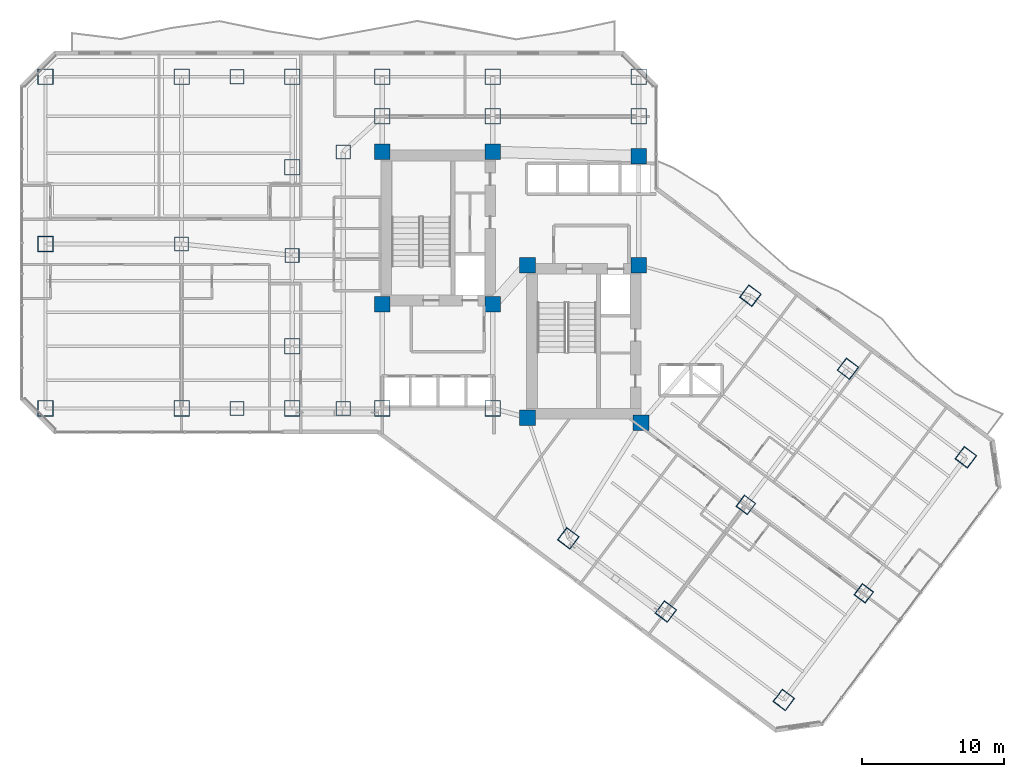
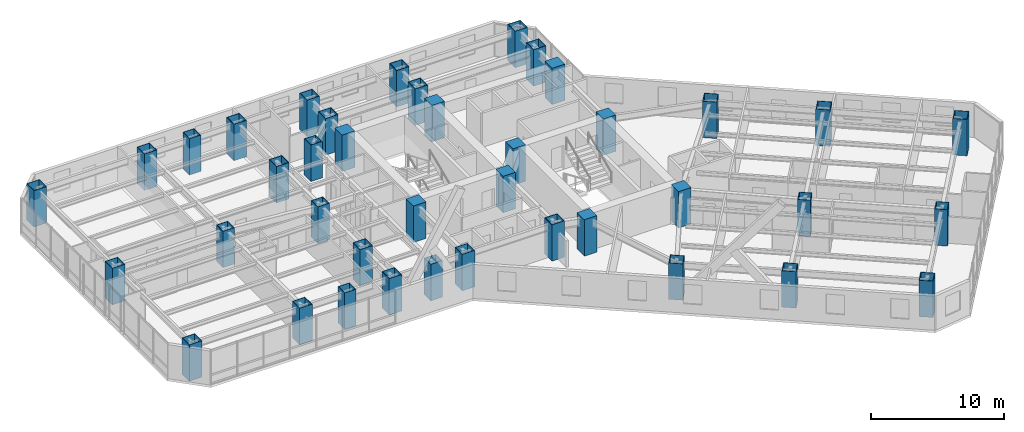
# One storey, part 1 of 33: 40 columns.
"""IFC4 building model written with IfcOpenShell, lengths in metres."""

from ifc_helpers import new_model, si_unit, direction, frame, origin, origin_2d, place, context, subcontext, project, spatial, rectangle, hollow_rectangle, extrude, material, material_profile, profile_set, type_object, element, save


model = new_model("IFC4")

# Units and contexts
model_context = context("Model", 3, precision=1e-05, world=origin(), true_north=direction((0.0, 1.0)))
body_context = subcontext(model_context, "Body", "Model", "MODEL_VIEW")
ifc_project = project(units=[si_unit("LENGTHUNIT", "METRE"), si_unit("AREAUNIT", "SQUARE_METRE"), si_unit("VOLUMEUNIT", "CUBIC_METRE"), si_unit("PLANEANGLEUNIT", "RADIAN"), si_unit("MASSUNIT", "GRAM", prefix="KILO")], contexts=[model_context])

# Site, building, storey
site_placement = place(None, origin())
site = spatial("IfcSite", under=ifc_project, at=site_placement, CompositionType="ELEMENT")
building_placement = place(site_placement, origin())
building = spatial("IfcBuilding", under=site, at=building_placement, Name="Hatsunagi Terrace Concourse", CompositionType="ELEMENT")
storey_placement = place(building_placement, frame((0.0, 0.0, 53.35009765625)))
storey = spatial("IfcBuildingStorey", under=building, at=storey_placement, Name="L13", CompositionType="ELEMENT", Elevation=53.35009765625)

# Columns
ifc_material_1 = material(Name="Concrete Fc60", Category="concrete")
ifc_material_profile_1 = material_profile(ifc_material_1, rectangle(XDim=1.10009765625, YDim=1.10009765625, at=origin_2d()), Name="RC-1100x1100")
ifc_profile_set_1 = profile_set([ifc_material_profile_1], Name="Concrete Fc60")
column_type_1 = type_object("IfcColumnType", Name="CoreColumn_RC_1100x1100", PredefinedType="COLUMN", material=ifc_profile_set_1)
for number, where, z_axis, x_axis, name in (
    (1, (25.550048828125, 32.550048828125, 0.0), (0.0, 0.0, 1.0), (1.0, 0.0, 0.0), "Column C-01 L13-CASW"),
    (2, (33.35009765625, 32.550048828125, 0.0), (0.0, 0.0, 1.0), (1.0, 0.0, 0.0), "Column C-01 L13-CASE"),
    (3, (25.550048828125, 43.300048828125, 0.0), (0.0, 0.0, 1.0), (1.0, 0.0, 0.0), "Column C-01 L13-CANW"),
    (4, (33.35009765625, 43.300048828125, 0.0), (0.0, 0.0, 1.0), (1.0, 0.0, 0.0), "Column C-01 L13-CANE"),
    (5, (35.800048828125, 24.550048828125, 0.0), (0.0, 0.0, 1.0), (1.0, 0.0, 0.0), "Column C-01 L13-CBSW"),
    (6, (43.800048828125, 24.199951171875, 0.0), (0.0, 0.0, 1.0), (1.0, 0.0, 0.0), "Column C-01 L13-CBSE"),
    (7, (35.800048828125, 35.300048828125, 0.0), (0.0, 0.0, 1.0), (1.0, 0.0, 0.0), "Column C-01 L13-CBNW"),
    (8, (43.64990234375, 35.300048828125, 0.0), (0.0, 0.0, 1.0), (1.0, 0.0, 0.0), "Column C-01 L13-CBNE"),
    (9, (43.64990234375, 43.0, 0.0), (0.0, 0.0, 1.0), (1.0, 0.0, 0.0), "Column C-01 L13-K3"),
):
    element("IfcColumn", number, at=place(storey_placement, frame(where, z_axis=z_axis, x_axis=x_axis)), inside=storey, type_object=column_type_1, Name=name, PredefinedType="COLUMN", context=body_context, shape_type="SweptSolid", body=[
        extrude(rectangle(XDim=1.10009765625, YDim=1.10009765625, at=origin_2d()), origin(), (0.0, 0.0, 1.0), 3.349853515625),
    ])
ifc_material_2 = material(Name="Steel BCP325T", Category="steel")
ifc_material_profile_2 = material_profile(ifc_material_2, hollow_rectangle(XDim=1.10009765625, YDim=1.10009765625, WallThickness=0.0400390625, at=origin_2d()), Name="BCP-1100x1100x40")
ifc_profile_set_2 = profile_set([ifc_material_profile_2], Name="Steel BCP325T")
column_type_2 = type_object("IfcColumnType", Name="MegaColumn_BCP_1100x1100x40", PredefinedType="COLUMN", material=ifc_profile_set_2)
for number, where, z_axis, x_axis, name in (
    (10, (25.550048828125, 25.199951171875, 0.0), (0.0, 0.0, 1.0), (1.0, 0.0, 0.0), "Mega column MC-02 L13-K1"),
    (11, (33.35009765625, 25.199951171875, 0.0), (0.0, 0.0, 1.0), (1.0, 0.0, 0.0), "Mega column MC-02 L13-K2"),
    (12, (25.550048828125, 45.800048828125, 0.0), (0.0, 0.0, 1.0), (1.0, 0.0, 0.0), "Mega column MC-02 L13-CN1"),
    (13, (33.35009765625, 45.800048828125, 0.0), (0.0, 0.0, 1.0), (1.0, 0.0, 0.0), "Mega column MC-02 L13-CN2"),
    (14, (43.64990234375, 45.800048828125, 0.0), (0.0, 0.0, 1.0), (1.0, 0.0, 0.0), "Mega column MC-02 L13-CN3"),
    (15, (1.800048828125, 25.199951171875, 0.0), (0.0, 0.0, 1.0), (1.0, 0.0, 0.0), "Mega column MC-02 L13-WS1"),
    (16, (1.800048828125, 48.60009765625, 0.0), (0.0, 0.0, 1.0), (1.0, 0.0, 0.0), "Mega column MC-02 L13-WN1"),
    (17, (1.800048828125, 36.800048828125, 0.0), (0.0, 0.0, 1.0), (1.0, 0.0, 0.0), "Mega column MC-02 L13-WM0"),
    (18, (11.39990234375, 25.199951171875, 0.0), (0.0, 0.0, 1.0), (1.0, 0.0, 0.0), "Mega column MC-02 L13-WS2"),
    (19, (11.39990234375, 48.60009765625, 0.0), (0.0, 0.0, 1.0), (1.0, 0.0, 0.0), "Mega column MC-02 L13-WN2"),
    (20, (19.199951171875, 48.60009765625, 0.0), (0.0, 0.0, 1.0), (1.0, 0.0, 0.0), "Mega column MC-02 L13-WN3"),
    (21, (25.550048828125, 48.60009765625, 0.0), (0.0, 0.0, 1.0), (1.0, 0.0, 0.0), "Mega column MC-02 L13-WN4"),
    (22, (33.35009765625, 48.60009765625, 0.0), (0.0, 0.0, 1.0), (1.0, 0.0, 0.0), "Mega column MC-02 L13-WN5"),
    (23, (43.64990234375, 48.60009765625, 0.0), (0.0, 0.0, 1.0), (1.0, 0.0, 0.0), "Mega column MC-02 L13-WN6"),
    (24, (19.199951171875, 25.199951171875, 0.0), (0.0, 0.0, 1.0), (1.0, 0.0, 0.0), "Mega column MC-02 L13-WS3"),
    (25, (19.199951171875, 29.60009765625, 0.0), (0.0, 0.0, 1.0), (1.0, 0.0, 0.0), "Mega column MC-02 L13-WR1"),
    (26, (19.199951171875, 42.199951171875, 0.0), (0.0, 0.0, 1.0), (1.0, 0.0, 0.0), "Mega column MC-02 L13-WR2"),
    (27, (38.679931640625, 16.0400390625, 0.0), (0.0, 0.0, 1.0), (0.799999996291, -0.600000004945, 0.0), "Mega column MC-02 L13-SES1"),
    (28, (51.52001953125, 33.159912109375, 0.0), (0.0, 0.0, 1.0), (0.799999996291, -0.600000004945, 0.0), "Mega column MC-02 L13-SEN1"),
    (29, (45.56005859375, 10.8798828125, 0.0), (0.0, 0.0, 1.0), (0.799999996291, -0.600000004945, 0.0), "Mega column MC-02 L13-SES2"),
    (30, (58.39990234375, 28.0, 0.0), (0.0, 0.0, 1.0), (0.799999996291, -0.600000004945, 0.0), "Mega column MC-02 L13-SEN2"),
    (31, (53.8798828125, 4.639892578125, 0.0), (0.0, 0.0, 1.0), (0.799999996291, -0.600000004945, 0.0), "Mega column MC-02 L13-SES3"),
    (32, (66.719970703125, 21.760009765625, 0.0), (0.0, 0.0, 1.0), (0.799999996291, -0.600000004945, 0.0), "Mega column MC-02 L13-SEN3"),
):
    element("IfcColumn", number, at=place(storey_placement, frame(where, z_axis=z_axis, x_axis=x_axis)), inside=storey, type_object=column_type_2, Name=name, PredefinedType="COLUMN", context=body_context, shape_type="SweptSolid", body=[
        extrude(hollow_rectangle(XDim=1.10009765625, YDim=1.10009765625, WallThickness=0.0400390625, at=origin_2d()), origin(), (0.0, 0.0, 1.0), 3.349853515625),
    ])
ifc_material_3 = material(Name="Steel BCP325T", Category="steel")
ifc_material_profile_3 = material_profile(ifc_material_3, hollow_rectangle(XDim=1.0, YDim=1.0, WallThickness=0.0380859375, at=origin_2d()), Name="BCP-1000x1000x38")
ifc_profile_set_3 = profile_set([ifc_material_profile_3], Name="Steel BCP325T")
column_type_3 = type_object("IfcColumnType", Name="TowerBoxColumn_1000x1000x38", PredefinedType="COLUMN", material=ifc_profile_set_3)
for number, where, z_axis, x_axis, name in (
    (33, (22.800048828125, 25.199951171875, 0.0), (0.0, 0.0, 1.0), (1.0, 0.0, 0.0), "Column C-03 L13-CW1"),
    (34, (22.800048828125, 43.300048828125, 0.0), (0.0, 0.0, 1.0), (1.0, 0.0, 0.0), "Column C-03 L13-CW2"),
    (35, (11.39990234375, 36.800048828125, 0.0), (0.0, 0.0, 1.0), (1.0, 0.0, 0.0), "Column C-03 L13-WT1"),
    (36, (19.199951171875, 36.0, 0.0), (0.0, 0.0, 1.0), (1.0, 0.0, 0.0), "Column C-03 L13-WT2"),
    (37, (15.300048828125, 25.199951171875, 0.0), (0.0, 0.0, 1.0), (1.0, 0.0, 0.0), "Column C-03 L13-WT3"),
    (38, (15.300048828125, 48.60009765625, 0.0), (0.0, 0.0, 1.0), (1.0, 0.0, 0.0), "Column C-03 L13-WT4"),
    (39, (51.199951171875, 18.39990234375, 0.0), (0.0, 0.0, 1.0), (0.799999996291, -0.600000004945, 0.0), "Column C-03 L13-SEM2"),
    (40, (59.52001953125, 12.159912109375, 0.0), (0.0, 0.0, 1.0), (0.799999996291, -0.600000004945, 0.0), "Column C-03 L13-SEM3"),
):
    element("IfcColumn", number, at=place(storey_placement, frame(where, z_axis=z_axis, x_axis=x_axis)), inside=storey, type_object=column_type_3, Name=name, PredefinedType="COLUMN", context=body_context, shape_type="SweptSolid", body=[
        extrude(hollow_rectangle(XDim=1.0, YDim=1.0, WallThickness=0.0380859375, at=origin_2d()), origin(), (0.0, 0.0, 1.0), 3.349853515625),
    ])

save(model, "model.ifc")
